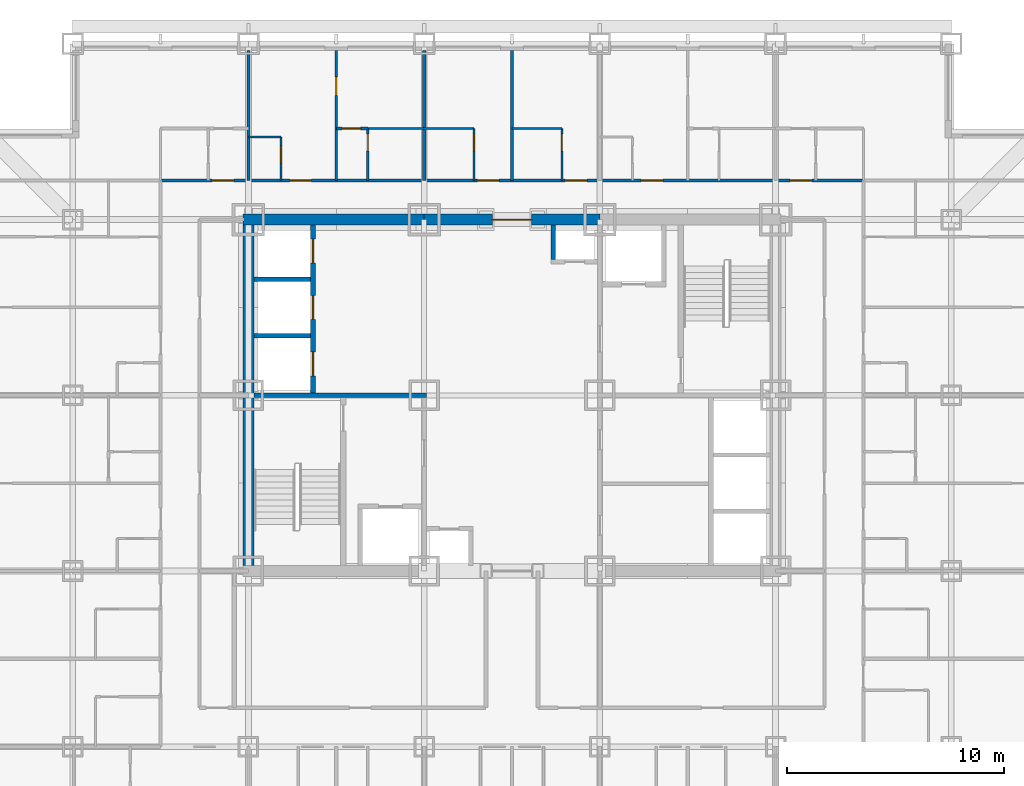
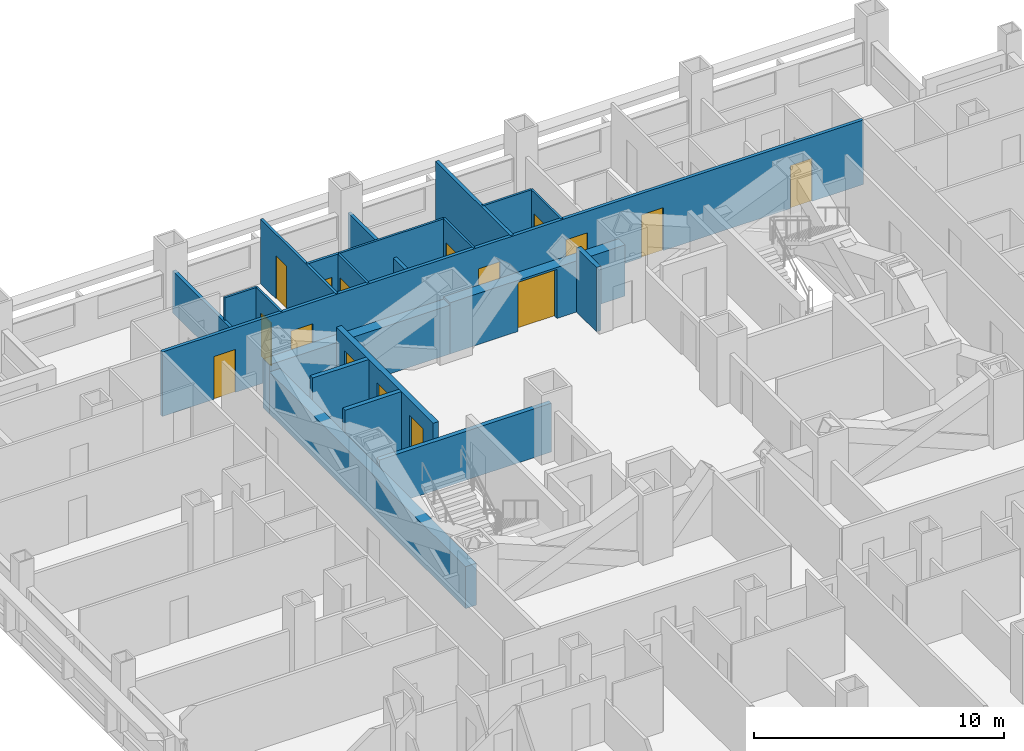
# One storey, part 9 of 12: 21 walls, 16 doors, 16 openings.
"""IFC4 building model written with IfcOpenShell, lengths in metres."""

from ifc_helpers import new_model, si_unit, direction, frame, frame_2d, origin, place, context, subcontext, project, spatial, rectangle, extrude, material, layer, layer_set, type_object, element, fill, save


model = new_model("IFC4")

# Units and contexts
model_context = context("Model", 3, precision=1e-05, world=origin(), true_north=direction((0.0, 1.0)))
body_context = subcontext(model_context, "Body", "Model", "MODEL_VIEW")
ifc_project = project(units=[si_unit("LENGTHUNIT", "METRE"), si_unit("AREAUNIT", "SQUARE_METRE"), si_unit("VOLUMEUNIT", "CUBIC_METRE"), si_unit("PLANEANGLEUNIT", "RADIAN"), si_unit("MASSUNIT", "GRAM", prefix="KILO")], contexts=[model_context])

# Site, building, storey
site_placement = place(None, origin())
site = spatial("IfcSite", under=ifc_project, at=site_placement, CompositionType="ELEMENT")
building_placement = place(site_placement, origin())
building = spatial("IfcBuilding", under=site, at=building_placement, Name="Kopane Lantern Tower", CompositionType="ELEMENT")
storey_placement = place(building_placement, frame((0.0, 0.0, 87.39990234375)))
storey = spatial("IfcBuildingStorey", under=building, at=storey_placement, Name="L22", CompositionType="ELEMENT", Elevation=87.39990234375)

# Wall, opening, door
ifc_material_1 = material(Name="Gypsum board on steel studs", Category="steel")
ifc_layer_1 = layer(ifc_material_1, 0.1201171875)
ifc_layer_set_1 = layer_set([ifc_layer_1], Name="APARTMENT INTERNAL WALL 120")
wall_type_1 = type_object("IfcWallType", Name="APARTMENT INTERNAL WALL 120", PredefinedType="PARTITIONING", material=ifc_layer_set_1)
wall_1_placement = place(storey_placement, frame((20.25, 42.300048828125, 0.0), z_axis=(0.0, 0.0, 1.0), x_axis=(0.0, 1.0, 0.0)))
wall_1 = element("IfcWall", 1, at=wall_1_placement, inside=storey, type_object=wall_type_1, Name="Apartment Internal Wall 120 L22", PredefinedType="PARTITIONING", context=body_context, shape_type="SweptSolid", body=[
    extrude(rectangle(XDim=6.0, YDim=0.1201171875, at=frame_2d((3.0, 0.0))), origin(), (0.0, 0.0, 1.0), 3.150146484375),
])
opening_1_placement = place(wall_1_placement, frame((3.925048828125, 0.0, 0.0)))
opening_1 = element("IfcOpeningElement", 2, at=opening_1_placement, cuts=wall_1, Name="Opening L22-024", PredefinedType="OPENING", context=body_context, shape_type="SweptSolid", body=[
    extrude(rectangle(XDim=0.85009765625, YDim=2.10009765625, at=frame_2d((0.425048828125, 1.050048828125))), frame((0.0, 0.070068359375, 0.0), z_axis=(0.0, -1.0, 0.0), x_axis=(1.0, 0.0, 0.0)), (0.0, 0.0, 1.0), 0.14013671875),
])
ifc_material_2 = material(Name="Timber door set", Category="wood")
door_type_1 = type_object("IfcDoorType", Name="DOOR D4 850x2100", OperationType="SINGLE_SWING_LEFT", PredefinedType="DOOR", material=ifc_material_2)
door_1_placement = place(opening_1_placement, origin())
door_1 = element("IfcDoor", 3, at=door_1_placement, inside=storey, type_object=door_type_1, Name="Door L22-024", OperationType="SINGLE_SWING_RIGHT", OverallHeight=2.10009765625, OverallWidth=0.85009765625, PredefinedType="DOOR", context=body_context, shape_type="SweptSolid", body=[
    extrude(rectangle(XDim=0.85009765625, YDim=2.10009765625, at=frame_2d((0.425048828125, 1.050048828125))), frame((0.0, 0.02490234375, 0.0), z_axis=(0.0, -1.0, 0.0), x_axis=(1.0, 0.0, 0.0)), (0.0, 0.0, 1.0), 0.050048828125),
])
fill(opening_1, door_1)

wall_2_placement = place(storey_placement, frame((20.25, 44.699951171875, 0.0), z_axis=(0.0, 0.0, 1.0), x_axis=(1.0, 0.0, 0.0)))
wall_2 = element("IfcWall", 4, at=wall_2_placement, inside=storey, type_object=wall_type_1, Name="Apartment Internal Wall 120 L22", PredefinedType="PARTITIONING", context=body_context, shape_type="SweptSolid", body=[
    extrude(rectangle(XDim=1.4599609375, YDim=0.1201171875, at=frame_2d((0.72998046875, 0.0))), origin(), (0.0, 0.0, 1.0), 3.150146484375),
])
opening_2_placement = place(wall_2_placement, frame((0.27490234375, 0.0, 0.0)))
opening_2 = element("IfcOpeningElement", 5, at=opening_2_placement, cuts=wall_2, Name="Opening L22-071", PredefinedType="OPENING", context=body_context, shape_type="SweptSolid", body=[
    extrude(rectangle(XDim=0.85009765625, YDim=2.10009765625, at=frame_2d((0.425048828125, 1.050048828125))), frame((0.0, 0.070068359375, 0.0), z_axis=(0.0, -1.0, 0.0), x_axis=(1.0, 0.0, 0.0)), (0.0, 0.0, 1.0), 0.14013671875),
])
door_2_placement = place(opening_2_placement, origin())
door_2 = element("IfcDoor", 6, at=door_2_placement, inside=storey, type_object=door_type_1, Name="Door L22-071", OperationType="SINGLE_SWING_LEFT", OverallHeight=2.10009765625, OverallWidth=0.85009765625, PredefinedType="DOOR", context=body_context, shape_type="SweptSolid", body=[
    extrude(rectangle(XDim=0.85009765625, YDim=2.10009765625, at=frame_2d((0.425048828125, 1.050048828125))), frame((0.0, 0.02490234375, 0.0), z_axis=(0.0, -1.0, 0.0), x_axis=(1.0, 0.0, 0.0)), (0.0, 0.0, 1.0), 0.050048828125),
])
fill(opening_2, door_2)

# Wall
ifc_material_3 = material(Name="Moisture-resistant board on steel studs", Category="steel")
ifc_layer_2 = layer(ifc_material_3, 0.10009765625)
ifc_layer_set_2 = layer_set([ifc_layer_2], Name="BATHROOM WALL 100")
wall_type_2 = type_object("IfcWallType", Name="BATHROOM WALL 100", PredefinedType="PARTITIONING", material=ifc_layer_set_2)
wall_3_placement = place(storey_placement, frame((16.199951171875, 44.300048828125, 0.0), z_axis=(0.0, 0.0, 1.0), x_axis=(1.0, 0.0, 0.0)))
element("IfcWall", 7, at=wall_3_placement, inside=storey, type_object=wall_type_2, Name="Bathroom Wall 100 L22", PredefinedType="PARTITIONING", context=body_context, shape_type="SweptSolid", body=[
    extrude(rectangle(XDim=1.5, YDim=0.10009765625, at=frame_2d((0.75, 0.0))), origin(), (0.0, 0.0, 1.0), 3.150146484375),
])

# Wall, opening, door
wall_4_placement = place(storey_placement, frame((17.699951171875, 42.300048828125, 0.0), z_axis=(0.0, 0.0, 1.0), x_axis=(0.0, 1.0, 0.0)))
wall_4 = element("IfcWall", 8, at=wall_4_placement, inside=storey, type_object=wall_type_2, Name="Bathroom Wall 100 L22", PredefinedType="PARTITIONING", context=body_context, shape_type="SweptSolid", body=[
    extrude(rectangle(XDim=2.0, YDim=0.10009765625, at=frame_2d((1.0, 0.0))), origin(), (0.0, 0.0, 1.0), 3.150146484375),
])
opening_3_placement = place(wall_4_placement, frame((0.800048828125, 0.0, 0.0)))
opening_3 = element("IfcOpeningElement", 9, at=opening_3_placement, cuts=wall_4, Name="Opening L22-021", PredefinedType="OPENING", context=body_context, shape_type="SweptSolid", body=[
    extrude(rectangle(XDim=0.800048828125, YDim=2.10009765625, at=frame_2d((0.39990234375, 1.050048828125))), frame((0.0, 0.06005859375, 0.0), z_axis=(0.0, -1.0, 0.0), x_axis=(1.0, 0.0, 0.0)), (0.0, 0.0, 1.0), 0.1201171875),
])
ifc_material_4 = material(Name="Timber door set", Category="wood")
door_type_2 = type_object("IfcDoorType", Name="DOOR D2 800x2100", OperationType="SINGLE_SWING_LEFT", PredefinedType="DOOR", material=ifc_material_4)
door_3_placement = place(opening_3_placement, origin())
door_3 = element("IfcDoor", 10, at=door_3_placement, inside=storey, type_object=door_type_2, Name="Door L22-021", OperationType="SINGLE_SWING_RIGHT", OverallHeight=2.10009765625, OverallWidth=0.800048828125, PredefinedType="DOOR", context=body_context, shape_type="SweptSolid", body=[
    extrude(rectangle(XDim=0.800048828125, YDim=2.10009765625, at=frame_2d((0.39990234375, 1.050048828125))), frame((0.0, 0.02490234375, 0.0), z_axis=(0.0, -1.0, 0.0), x_axis=(1.0, 0.0, 0.0)), (0.0, 0.0, 1.0), 0.050048828125),
])
fill(opening_3, door_3)

# Wall
wall_5_placement = place(storey_placement, frame((21.699951171875, 44.699951171875, 0.0), z_axis=(0.0, 0.0, 1.0), x_axis=(1.0, 0.0, 0.0)))
element("IfcWall", 11, at=wall_5_placement, inside=storey, type_object=wall_type_2, Name="Bathroom Wall 100 L22", PredefinedType="PARTITIONING", context=body_context, shape_type="SweptSolid", body=[
    extrude(rectangle(XDim=4.900146484375, YDim=0.10009765625, at=frame_2d((2.4501953125, 0.0))), origin(), (0.0, 0.0, 1.0), 3.150146484375),
])

# Wall, opening, door
wall_6_placement = place(storey_placement, frame((21.699951171875, 42.300048828125, 0.0), z_axis=(0.0, 0.0, 1.0), x_axis=(0.0, 1.0, 0.0)))
wall_6 = element("IfcWall", 12, at=wall_6_placement, inside=storey, type_object=wall_type_2, Name="Bathroom Wall 100 L22", PredefinedType="PARTITIONING", context=body_context, shape_type="SweptSolid", body=[
    extrude(rectangle(XDim=2.39990234375, YDim=0.10009765625, at=frame_2d((1.199951171875, 0.0))), origin(), (0.0, 0.0, 1.0), 3.150146484375),
])
opening_4_placement = place(wall_6_placement, frame((1.35009765625, 0.0, 0.0)))
opening_4 = element("IfcOpeningElement", 13, at=opening_4_placement, cuts=wall_6, Name="Opening L22-023", PredefinedType="OPENING", context=body_context, shape_type="SweptSolid", body=[
    extrude(rectangle(XDim=0.800048828125, YDim=2.10009765625, at=frame_2d((0.39990234375, 1.050048828125))), frame((0.0, 0.06005859375, 0.0), z_axis=(0.0, -1.0, 0.0), x_axis=(1.0, 0.0, 0.0)), (0.0, 0.0, 1.0), 0.1201171875),
])
door_4_placement = place(opening_4_placement, origin())
door_4 = element("IfcDoor", 14, at=door_4_placement, inside=storey, type_object=door_type_2, Name="Door L22-023", OperationType="SINGLE_SWING_RIGHT", OverallHeight=2.10009765625, OverallWidth=0.800048828125, PredefinedType="DOOR", context=body_context, shape_type="SweptSolid", body=[
    extrude(rectangle(XDim=0.800048828125, YDim=2.10009765625, at=frame_2d((0.39990234375, 1.050048828125))), frame((0.0, 0.02490234375, 0.0), z_axis=(0.0, -1.0, 0.0), x_axis=(1.0, 0.0, 0.0)), (0.0, 0.0, 1.0), 0.050048828125),
])
fill(opening_4, door_4)

wall_7_placement = place(storey_placement, frame((26.60009765625, 42.300048828125, 0.0), z_axis=(0.0, 0.0, 1.0), x_axis=(0.0, 1.0, 0.0)))
wall_7 = element("IfcWall", 15, at=wall_7_placement, inside=storey, type_object=wall_type_2, Name="Bathroom Wall 100 L22", PredefinedType="PARTITIONING", context=body_context, shape_type="SweptSolid", body=[
    extrude(rectangle(XDim=2.39990234375, YDim=0.10009765625, at=frame_2d((1.199951171875, 0.0))), origin(), (0.0, 0.0, 1.0), 3.150146484375),
])
opening_5_placement = place(wall_7_placement, frame((1.35009765625, 0.0, 0.0)))
opening_5 = element("IfcOpeningElement", 16, at=opening_5_placement, cuts=wall_7, Name="Opening L22-025", PredefinedType="OPENING", context=body_context, shape_type="SweptSolid", body=[
    extrude(rectangle(XDim=0.800048828125, YDim=2.10009765625, at=frame_2d((0.39990234375, 1.050048828125))), frame((0.0, 0.06005859375, 0.0), z_axis=(0.0, -1.0, 0.0), x_axis=(1.0, 0.0, 0.0)), (0.0, 0.0, 1.0), 0.1201171875),
])
door_5_placement = place(opening_5_placement, origin())
door_5 = element("IfcDoor", 17, at=door_5_placement, inside=storey, type_object=door_type_2, Name="Door L22-025", OperationType="SINGLE_SWING_RIGHT", OverallHeight=2.10009765625, OverallWidth=0.800048828125, PredefinedType="DOOR", context=body_context, shape_type="SweptSolid", body=[
    extrude(rectangle(XDim=0.800048828125, YDim=2.10009765625, at=frame_2d((0.39990234375, 1.050048828125))), frame((0.0, 0.02490234375, 0.0), z_axis=(0.0, -1.0, 0.0), x_axis=(1.0, 0.0, 0.0)), (0.0, 0.0, 1.0), 0.050048828125),
])
fill(opening_5, door_5)

# Wall
wall_8_placement = place(storey_placement, frame((28.35009765625, 44.699951171875, 0.0), z_axis=(0.0, 0.0, 1.0), x_axis=(1.0, 0.0, 0.0)))
element("IfcWall", 18, at=wall_8_placement, inside=storey, type_object=wall_type_2, Name="Bathroom Wall 100 L22", PredefinedType="PARTITIONING", context=body_context, shape_type="SweptSolid", body=[
    extrude(rectangle(XDim=2.2998046875, YDim=0.10009765625, at=frame_2d((1.14990234375, 0.0))), origin(), (0.0, 0.0, 1.0), 3.150146484375),
])

# Wall, opening, door
wall_9_placement = place(storey_placement, frame((30.64990234375, 42.300048828125, 0.0), z_axis=(0.0, 0.0, 1.0), x_axis=(0.0, 1.0, 0.0)))
wall_9 = element("IfcWall", 19, at=wall_9_placement, inside=storey, type_object=wall_type_2, Name="Bathroom Wall 100 L22", PredefinedType="PARTITIONING", context=body_context, shape_type="SweptSolid", body=[
    extrude(rectangle(XDim=2.39990234375, YDim=0.10009765625, at=frame_2d((1.199951171875, 0.0))), origin(), (0.0, 0.0, 1.0), 3.150146484375),
])
opening_6_placement = place(wall_9_placement, frame((1.35009765625, 0.0, 0.0)))
opening_6 = element("IfcOpeningElement", 20, at=opening_6_placement, cuts=wall_9, Name="Opening L22-027", PredefinedType="OPENING", context=body_context, shape_type="SweptSolid", body=[
    extrude(rectangle(XDim=0.800048828125, YDim=2.10009765625, at=frame_2d((0.39990234375, 1.050048828125))), frame((0.0, 0.06005859375, 0.0), z_axis=(0.0, -1.0, 0.0), x_axis=(1.0, 0.0, 0.0)), (0.0, 0.0, 1.0), 0.1201171875),
])
door_6_placement = place(opening_6_placement, origin())
door_6 = element("IfcDoor", 21, at=door_6_placement, inside=storey, type_object=door_type_2, Name="Door L22-027", OperationType="SINGLE_SWING_RIGHT", OverallHeight=2.10009765625, OverallWidth=0.800048828125, PredefinedType="DOOR", context=body_context, shape_type="SweptSolid", body=[
    extrude(rectangle(XDim=0.800048828125, YDim=2.10009765625, at=frame_2d((0.39990234375, 1.050048828125))), frame((0.0, 0.02490234375, 0.0), z_axis=(0.0, -1.0, 0.0), x_axis=(1.0, 0.0, 0.0)), (0.0, 0.0, 1.0), 0.050048828125),
])
fill(opening_6, door_6)

# Wall
ifc_material_5 = material(Name="Gypsum shaft wall EI 120", Category="gypsum")
ifc_layer_3 = layer(ifc_material_5, 0.5)
ifc_layer_set_3 = layer_set([ifc_layer_3], Name="CORE PERIMETER WALL 500 EI 120")
wall_type_3 = type_object("IfcWallType", Name="CORE PERIMETER WALL 500 EI 120", PredefinedType="SOLIDWALL", material=ifc_layer_set_3)
wall_10_placement = place(storey_placement, frame((15.949951171875, 40.5, 0.0), z_axis=(0.0, 0.0, 1.0), x_axis=(1.0, 0.0, 0.0)))
element("IfcWall", 22, at=wall_10_placement, inside=storey, type_object=wall_type_3, Name="Core shaft wall L22 PNW", PredefinedType="SOLIDWALL", context=body_context, shape_type="SweptSolid", body=[
    extrude(rectangle(XDim=8.35009765625, YDim=0.5, at=frame_2d((4.175048828125, 0.0))), origin(), (0.0, 0.0, 1.0), 2.387939453125),
])

# Wall, opening, door
wall_11_placement = place(storey_placement, frame((24.300048828125, 40.5, 0.0), z_axis=(0.0, 0.0, 1.0), x_axis=(1.0, 0.0, 0.0)))
wall_11 = element("IfcWall", 23, at=wall_11_placement, inside=storey, type_object=wall_type_3, Name="Core shaft wall L22 PN", PredefinedType="SOLIDWALL", context=body_context, shape_type="SweptSolid", body=[
    extrude(rectangle(XDim=8.099853515625, YDim=0.5, at=frame_2d((4.0498046875, 0.0))), origin(), (0.0, 0.0, 1.0), 2.5),
])
opening_7_placement = place(wall_11_placement, frame((3.14990234375, 0.0, 0.0)))
opening_7 = element("IfcOpeningElement", 24, at=opening_7_placement, cuts=wall_11, Name="Opening 22.CE-N", PredefinedType="OPENING", context=body_context, shape_type="SweptSolid", body=[
    extrude(rectangle(XDim=1.800048828125, YDim=2.39990234375, at=frame_2d((0.89990234375, 1.199951171875))), frame((0.0, 0.260009765625, 0.0), z_axis=(0.0, -1.0, 0.0), x_axis=(1.0, 0.0, 0.0)), (0.0, 0.0, 1.0), 0.52001953125),
])
ifc_material_6 = material(Name="Steel door set", Category="steel")
door_type_3 = type_object("IfcDoorType", Name="CORE ENTRY DOOR 1800x2400 FD60S", OperationType="DOUBLE_DOOR_SINGLE_SWING", PredefinedType="DOOR", material=ifc_material_6)
door_7_placement = place(opening_7_placement, origin())
door_7 = element("IfcDoor", 25, at=door_7_placement, inside=storey, type_object=door_type_3, Name="Core entry door L22 north", OperationType="DOUBLE_DOOR_SINGLE_SWING", OverallHeight=2.39990234375, OverallWidth=1.800048828125, PredefinedType="DOOR", context=body_context, shape_type="SweptSolid", body=[
    extrude(rectangle(XDim=1.800048828125, YDim=2.39990234375, at=frame_2d((0.89990234375, 1.199951171875))), frame((0.0, 0.02490234375, 0.0), z_axis=(0.0, -1.0, 0.0), x_axis=(1.0, 0.0, 0.0)), (0.0, 0.0, 1.0), 0.050048828125),
])
fill(opening_7, door_7)

# Wall
wall_12_placement = place(storey_placement, frame((16.199951171875, 24.550048828125, 0.0), z_axis=(0.0, 0.0, 1.0), x_axis=(0.0, 1.0, 0.0)))
element("IfcWall", 26, at=wall_12_placement, inside=storey, type_object=wall_type_3, Name="Core shaft wall L22 PW", PredefinedType="SOLIDWALL", context=body_context, shape_type="SweptSolid", body=[
    extrude(rectangle(XDim=15.699951171875, YDim=0.5, at=frame_2d((7.85009765625, 0.0))), origin(), (0.0, 0.0, 1.0), 2.050048828125),
])

# Wall, openings, doors
ifc_material_7 = material(Name="Gypsum shaft wall EI 120", Category="gypsum")
ifc_layer_4 = layer(ifc_material_7, 0.25)
ifc_layer_set_4 = layer_set([ifc_layer_4], Name="CORE SHAFT WALL 250 EI 120")
wall_type_4 = type_object("IfcWallType", Name="CORE SHAFT WALL 250 EI 120", PredefinedType="SOLIDWALL", material=ifc_layer_set_4)
wall_13_placement = place(storey_placement, frame((19.175048828125, 32.5, 0.0), z_axis=(0.0, 0.0, 1.0), x_axis=(0.0, 1.0, 0.0)))
wall_13 = element("IfcWall", 27, at=wall_13_placement, inside=storey, type_object=wall_type_4, Name="Core shaft wall L22 XLH", PredefinedType="SOLIDWALL", context=body_context, shape_type="SweptSolid", body=[
    extrude(rectangle(XDim=7.75, YDim=0.25, at=frame_2d((3.875, 0.0))), origin(), (0.0, 0.0, 1.0), 3.150146484375),
])
opening_8_placement = place(wall_13_placement, frame((0.800048828125, 0.0, 0.0)))
opening_8 = element("IfcOpeningElement", 28, at=opening_8_placement, cuts=wall_13, Name="Opening 22.LD-LH1", PredefinedType="OPENING", context=body_context, shape_type="SweptSolid", body=[
    extrude(rectangle(XDim=1.10009765625, YDim=2.39990234375, at=frame_2d((0.550048828125, 1.199951171875))), frame((0.0, 0.135009765625, 0.0), z_axis=(0.0, -1.0, 0.0), x_axis=(1.0, 0.0, 0.0)), (0.0, 0.0, 1.0), 0.27001953125),
])
opening_9_placement = place(wall_13_placement, frame((3.39990234375, 0.0, 0.0)))
opening_9 = element("IfcOpeningElement", 29, at=opening_9_placement, cuts=wall_13, Name="Opening 22.LD-LH2", PredefinedType="OPENING", context=body_context, shape_type="SweptSolid", body=[
    extrude(rectangle(XDim=1.10009765625, YDim=2.39990234375, at=frame_2d((0.550048828125, 1.199951171875))), frame((0.0, 0.135009765625, 0.0), z_axis=(0.0, -1.0, 0.0), x_axis=(1.0, 0.0, 0.0)), (0.0, 0.0, 1.0), 0.27001953125),
])
opening_10_placement = place(wall_13_placement, frame((6.0, 0.0, 0.0)))
opening_10 = element("IfcOpeningElement", 30, at=opening_10_placement, cuts=wall_13, Name="Opening 22.LD-LH3", PredefinedType="OPENING", context=body_context, shape_type="SweptSolid", body=[
    extrude(rectangle(XDim=1.10009765625, YDim=2.39990234375, at=frame_2d((0.550048828125, 1.199951171875))), frame((0.0, 0.135009765625, 0.0), z_axis=(0.0, -1.0, 0.0), x_axis=(1.0, 0.0, 0.0)), (0.0, 0.0, 1.0), 0.27001953125),
])
ifc_material_8 = material(Name="Steel door set", Category="steel")
door_type_4 = type_object("IfcDoorType", Name="LIFT LANDING DOOR 1100x2400 FD60", OperationType="DOUBLE_DOOR_SLIDING", PredefinedType="DOOR", material=ifc_material_8)
door_8_placement = place(opening_8_placement, origin())
door_8 = element("IfcDoor", 31, at=door_8_placement, inside=storey, type_object=door_type_4, Name="Landing door LH1 L22", OperationType="DOUBLE_DOOR_SLIDING", OverallHeight=2.39990234375, OverallWidth=1.10009765625, PredefinedType="DOOR", context=body_context, shape_type="SweptSolid", body=[
    extrude(rectangle(XDim=1.10009765625, YDim=2.39990234375, at=frame_2d((0.550048828125, 1.199951171875))), frame((0.0, 0.02490234375, 0.0), z_axis=(0.0, -1.0, 0.0), x_axis=(1.0, 0.0, 0.0)), (0.0, 0.0, 1.0), 0.050048828125),
])
fill(opening_8, door_8)
door_9_placement = place(opening_9_placement, origin())
door_9 = element("IfcDoor", 32, at=door_9_placement, inside=storey, type_object=door_type_4, Name="Landing door LH2 L22", OperationType="DOUBLE_DOOR_SLIDING", OverallHeight=2.39990234375, OverallWidth=1.10009765625, PredefinedType="DOOR", context=body_context, shape_type="SweptSolid", body=[
    extrude(rectangle(XDim=1.10009765625, YDim=2.39990234375, at=frame_2d((0.550048828125, 1.199951171875))), frame((0.0, 0.02490234375, 0.0), z_axis=(0.0, -1.0, 0.0), x_axis=(1.0, 0.0, 0.0)), (0.0, 0.0, 1.0), 0.050048828125),
])
fill(opening_9, door_9)
door_10_placement = place(opening_10_placement, origin())
door_10 = element("IfcDoor", 33, at=door_10_placement, inside=storey, type_object=door_type_4, Name="Landing door LH3 L22", OperationType="DOUBLE_DOOR_SLIDING", OverallHeight=2.39990234375, OverallWidth=1.10009765625, PredefinedType="DOOR", context=body_context, shape_type="SweptSolid", body=[
    extrude(rectangle(XDim=1.10009765625, YDim=2.39990234375, at=frame_2d((0.550048828125, 1.199951171875))), frame((0.0, 0.02490234375, 0.0), z_axis=(0.0, -1.0, 0.0), x_axis=(1.0, 0.0, 0.0)), (0.0, 0.0, 1.0), 0.050048828125),
])
fill(opening_10, door_10)

ifc_material_9 = material(Name="Gypsum board on steel studs", Category="steel")
ifc_layer_5 = layer(ifc_material_9, 0.14990234375)
ifc_layer_set_5 = layer_set([ifc_layer_5], Name="CORRIDOR WALL 150 EI 60")
wall_type_5 = type_object("IfcWallType", Name="CORRIDOR WALL 150 EI 60", PredefinedType="PARTITIONING", material=ifc_layer_set_5)
wall_14_placement = place(storey_placement, frame((12.14990234375, 42.300048828125, 0.0), z_axis=(0.0, 0.0, 1.0), x_axis=(1.0, 0.0, 0.0)))
wall_14 = element("IfcWall", 34, at=wall_14_placement, inside=storey, type_object=wall_type_5, Name="Corridor Wall 150 Ei 60 L22", PredefinedType="PARTITIONING", context=body_context, shape_type="SweptSolid", body=[
    extrude(rectangle(XDim=32.400146484375, YDim=0.14990234375, at=frame_2d((16.2001953125, 0.0))), origin(), (0.0, 0.0, 1.0), 3.150146484375),
])
opening_11_placement = place(wall_14_placement, frame((5.949951171875, 0.0, 0.0)))
opening_11 = element("IfcOpeningElement", 35, at=opening_11_placement, cuts=wall_14, Name="Opening L22-022", PredefinedType="OPENING", context=body_context, shape_type="SweptSolid", body=[
    extrude(rectangle(XDim=1.0, YDim=2.10009765625, at=frame_2d((0.5, 1.050048828125))), frame((0.0, 0.0849609375, 0.0), z_axis=(0.0, -1.0, 0.0), x_axis=(1.0, 0.0, 0.0)), (0.0, 0.0, 1.0), 0.169921875),
])
opening_12_placement = place(wall_14_placement, frame((14.60009765625, 0.0, 0.0)))
opening_12 = element("IfcOpeningElement", 36, at=opening_12_placement, cuts=wall_14, Name="Opening L22-026", PredefinedType="OPENING", context=body_context, shape_type="SweptSolid", body=[
    extrude(rectangle(XDim=1.0, YDim=2.10009765625, at=frame_2d((0.5, 1.050048828125))), frame((0.0, 0.0849609375, 0.0), z_axis=(0.0, -1.0, 0.0), x_axis=(1.0, 0.0, 0.0)), (0.0, 0.0, 1.0), 0.169921875),
])
opening_13_placement = place(wall_14_placement, frame((18.64990234375, 0.0, 0.0)))
opening_13 = element("IfcOpeningElement", 37, at=opening_13_placement, cuts=wall_14, Name="Opening L22-028", PredefinedType="OPENING", context=body_context, shape_type="SweptSolid", body=[
    extrude(rectangle(XDim=1.0, YDim=2.10009765625, at=frame_2d((0.5, 1.050048828125))), frame((0.0, 0.0849609375, 0.0), z_axis=(0.0, -1.0, 0.0), x_axis=(1.0, 0.0, 0.0)), (0.0, 0.0, 1.0), 0.169921875),
])
opening_14_placement = place(wall_14_placement, frame((22.14990234375, 0.0, 0.0)))
opening_14 = element("IfcOpeningElement", 38, at=opening_14_placement, cuts=wall_14, Name="Opening L22-030", PredefinedType="OPENING", context=body_context, shape_type="SweptSolid", body=[
    extrude(rectangle(XDim=1.0, YDim=2.10009765625, at=frame_2d((0.5, 1.050048828125))), frame((0.0, 0.0849609375, 0.0), z_axis=(0.0, -1.0, 0.0), x_axis=(1.0, 0.0, 0.0)), (0.0, 0.0, 1.0), 0.169921875),
])
opening_15_placement = place(wall_14_placement, frame((29.02490234375, 0.0, 0.0)))
opening_15 = element("IfcOpeningElement", 39, at=opening_15_placement, cuts=wall_14, Name="Opening L22-066", PredefinedType="OPENING", context=body_context, shape_type="SweptSolid", body=[
    extrude(rectangle(XDim=1.0, YDim=2.10009765625, at=frame_2d((0.5, 1.050048828125))), frame((0.0, 0.0849609375, 0.0), z_axis=(0.0, -1.0, 0.0), x_axis=(1.0, 0.0, 0.0)), (0.0, 0.0, 1.0), 0.169921875),
])
opening_16_placement = place(wall_14_placement, frame((2.375, 0.0, 0.0)))
opening_16 = element("IfcOpeningElement", 40, at=opening_16_placement, cuts=wall_14, Name="Opening L22-069", PredefinedType="OPENING", context=body_context, shape_type="SweptSolid", body=[
    extrude(rectangle(XDim=1.0, YDim=2.10009765625, at=frame_2d((0.5, 1.050048828125))), frame((0.0, 0.0849609375, 0.0), z_axis=(0.0, -1.0, 0.0), x_axis=(1.0, 0.0, 0.0)), (0.0, 0.0, 1.0), 0.169921875),
])
ifc_material_10 = material(Name="Steel door set", Category="steel")
door_type_5 = type_object("IfcDoorType", Name="DOOR D1 1000x2100 FD30S", OperationType="SINGLE_SWING_LEFT", PredefinedType="DOOR", material=ifc_material_10)
door_11_placement = place(opening_11_placement, origin())
door_11 = element("IfcDoor", 41, at=door_11_placement, inside=storey, type_object=door_type_5, Name="Door L22-022", OperationType="SINGLE_SWING_LEFT", OverallHeight=2.10009765625, OverallWidth=1.0, PredefinedType="DOOR", context=body_context, shape_type="SweptSolid", body=[
    extrude(rectangle(XDim=1.0, YDim=2.10009765625, at=frame_2d((0.5, 1.050048828125))), frame((0.0, 0.02490234375, 0.0), z_axis=(0.0, -1.0, 0.0), x_axis=(1.0, 0.0, 0.0)), (0.0, 0.0, 1.0), 0.050048828125),
])
fill(opening_11, door_11)
door_12_placement = place(opening_12_placement, origin())
door_12 = element("IfcDoor", 42, at=door_12_placement, inside=storey, type_object=door_type_5, Name="Door L22-026", OperationType="SINGLE_SWING_LEFT", OverallHeight=2.10009765625, OverallWidth=1.0, PredefinedType="DOOR", context=body_context, shape_type="SweptSolid", body=[
    extrude(rectangle(XDim=1.0, YDim=2.10009765625, at=frame_2d((0.5, 1.050048828125))), frame((0.0, 0.02490234375, 0.0), z_axis=(0.0, -1.0, 0.0), x_axis=(1.0, 0.0, 0.0)), (0.0, 0.0, 1.0), 0.050048828125),
])
fill(opening_12, door_12)
door_13_placement = place(opening_13_placement, origin())
door_13 = element("IfcDoor", 43, at=door_13_placement, inside=storey, type_object=door_type_5, Name="Door L22-028", OperationType="SINGLE_SWING_LEFT", OverallHeight=2.10009765625, OverallWidth=1.0, PredefinedType="DOOR", context=body_context, shape_type="SweptSolid", body=[
    extrude(rectangle(XDim=1.0, YDim=2.10009765625, at=frame_2d((0.5, 1.050048828125))), frame((0.0, 0.02490234375, 0.0), z_axis=(0.0, -1.0, 0.0), x_axis=(1.0, 0.0, 0.0)), (0.0, 0.0, 1.0), 0.050048828125),
])
fill(opening_13, door_13)
door_14_placement = place(opening_14_placement, origin())
door_14 = element("IfcDoor", 44, at=door_14_placement, inside=storey, type_object=door_type_5, Name="Door L22-030", OperationType="SINGLE_SWING_LEFT", OverallHeight=2.10009765625, OverallWidth=1.0, PredefinedType="DOOR", context=body_context, shape_type="SweptSolid", body=[
    extrude(rectangle(XDim=1.0, YDim=2.10009765625, at=frame_2d((0.5, 1.050048828125))), frame((0.0, 0.02490234375, 0.0), z_axis=(0.0, -1.0, 0.0), x_axis=(1.0, 0.0, 0.0)), (0.0, 0.0, 1.0), 0.050048828125),
])
fill(opening_14, door_14)
door_15_placement = place(opening_15_placement, origin())
door_15 = element("IfcDoor", 45, at=door_15_placement, inside=storey, type_object=door_type_5, Name="Door L22-066", OperationType="SINGLE_SWING_RIGHT", OverallHeight=2.10009765625, OverallWidth=1.0, PredefinedType="DOOR", context=body_context, shape_type="SweptSolid", body=[
    extrude(rectangle(XDim=1.0, YDim=2.10009765625, at=frame_2d((0.5, 1.050048828125))), frame((0.0, 0.02490234375, 0.0), z_axis=(0.0, -1.0, 0.0), x_axis=(1.0, 0.0, 0.0)), (0.0, 0.0, 1.0), 0.050048828125),
])
fill(opening_15, door_15)
door_16_placement = place(opening_16_placement, origin())
door_16 = element("IfcDoor", 46, at=door_16_placement, inside=storey, type_object=door_type_5, Name="Door L22-069", OperationType="SINGLE_SWING_LEFT", OverallHeight=2.10009765625, OverallWidth=1.0, PredefinedType="DOOR", context=body_context, shape_type="SweptSolid", body=[
    extrude(rectangle(XDim=1.0, YDim=2.10009765625, at=frame_2d((0.5, 1.050048828125))), frame((0.0, 0.02490234375, 0.0), z_axis=(0.0, -1.0, 0.0), x_axis=(1.0, 0.0, 0.0)), (0.0, 0.0, 1.0), 0.050048828125),
])
fill(opening_16, door_16)

# Walls
ifc_material_11 = material(Name="Gypsum board on steel studs", Category="steel")
ifc_layer_6 = layer(ifc_material_11, 0.14990234375)
ifc_layer_set_6 = layer_set([ifc_layer_6], Name="DEMISING WALL 150 EI 60")
wall_type_6 = type_object("IfcWallType", Name="DEMISING WALL 150 EI 60", PredefinedType="PARTITIONING", material=ifc_layer_set_6)
wall_15_placement = place(storey_placement, frame((24.300048828125, 42.300048828125, 0.0), z_axis=(0.0, 0.0, 1.0), x_axis=(0.0, 1.0, 0.0)))
element("IfcWall", 47, at=wall_15_placement, inside=storey, type_object=wall_type_6, Name="Demising Wall 150 Ei 60 L22", PredefinedType="PARTITIONING", context=body_context, shape_type="SweptSolid", body=[
    extrude(rectangle(XDim=6.0, YDim=0.14990234375, at=frame_2d((3.0, 0.0))), origin(), (0.0, 0.0, 1.0), 2.050048828125),
])
wall_16_placement = place(storey_placement, frame((28.35009765625, 42.300048828125, 0.0), z_axis=(0.0, 0.0, 1.0), x_axis=(0.0, 1.0, 0.0)))
element("IfcWall", 48, at=wall_16_placement, inside=storey, type_object=wall_type_6, Name="Demising Wall 150 Ei 60 L22", PredefinedType="PARTITIONING", context=body_context, shape_type="SweptSolid", body=[
    extrude(rectangle(XDim=6.0, YDim=0.14990234375, at=frame_2d((3.0, 0.0))), origin(), (0.0, 0.0, 1.0), 3.150146484375),
])
wall_17_placement = place(storey_placement, frame((16.199951171875, 42.300048828125, 0.0), z_axis=(0.0, 0.0, 1.0), x_axis=(0.0, 1.0, 0.0)))
element("IfcWall", 49, at=wall_17_placement, inside=storey, type_object=wall_type_6, Name="Demising Wall 150 Ei 60 L22", PredefinedType="PARTITIONING", context=body_context, shape_type="SweptSolid", body=[
    extrude(rectangle(XDim=6.0, YDim=0.14990234375, at=frame_2d((3.0, 0.0))), origin(), (0.0, 0.0, 1.0), 2.050048828125),
])
ifc_material_12 = material(Name="Gypsum shaft wall EI 120", Category="gypsum")
ifc_layer_7 = layer(ifc_material_12, 0.199951171875)
ifc_layer_set_7 = layer_set([ifc_layer_7], Name="SHAFT WALL 200 EI 120")
wall_type_7 = type_object("IfcWallType", Name="SHAFT WALL 200 EI 120", PredefinedType="SOLIDWALL", material=ifc_layer_set_7)
wall_18_placement = place(storey_placement, frame((16.449951171875, 32.39990234375, 0.0), z_axis=(0.0, 0.0, 1.0), x_axis=(1.0, 0.0, 0.0)))
element("IfcWall", 50, at=wall_18_placement, inside=storey, type_object=wall_type_7, Name="Core shaft wall L22 Y324W", PredefinedType="SOLIDWALL", context=body_context, shape_type="SweptSolid", body=[
    extrude(rectangle(XDim=7.949951171875, YDim=0.199951171875, at=frame_2d((3.97509765625, 0.0))), origin(), (0.0, 0.0, 1.0), 2.387939453125),
])
for number, where, z_axis, x_axis, name in (
    (51, (16.449951171875, 35.14990234375, 0.0), (0.0, 0.0, 1.0), (1.0, 0.0, 0.0), "Core shaft wall L22 YLH12"),
    (52, (16.449951171875, 37.75, 0.0), (0.0, 0.0, 1.0), (1.0, 0.0, 0.0), "Core shaft wall L22 YLH23"),
):
    element("IfcWall", number, at=place(storey_placement, frame(where, z_axis=z_axis, x_axis=x_axis)), inside=storey, type_object=wall_type_7, Name=name, PredefinedType="SOLIDWALL", context=body_context, shape_type="SweptSolid", body=[
        extrude(rectangle(XDim=2.60009765625, YDim=0.199951171875, at=frame_2d((1.300048828125, 0.0))), origin(), (0.0, 0.0, 1.0), 3.150146484375),
    ])
wall_19_placement = place(storey_placement, frame((30.25, 38.64990234375, 0.0), z_axis=(0.0, 0.0, 1.0), x_axis=(0.0, 1.0, 0.0)))
element("IfcWall", 53, at=wall_19_placement, inside=storey, type_object=wall_type_7, Name="Core shaft wall L22 XRS2", PredefinedType="SOLIDWALL", context=body_context, shape_type="SweptSolid", body=[
    extrude(rectangle(XDim=1.60009765625, YDim=0.199951171875, at=frame_2d((0.800048828125, 0.0))), origin(), (0.0, 0.0, 1.0), 3.150146484375),
])

save(model, "model.ifc")
